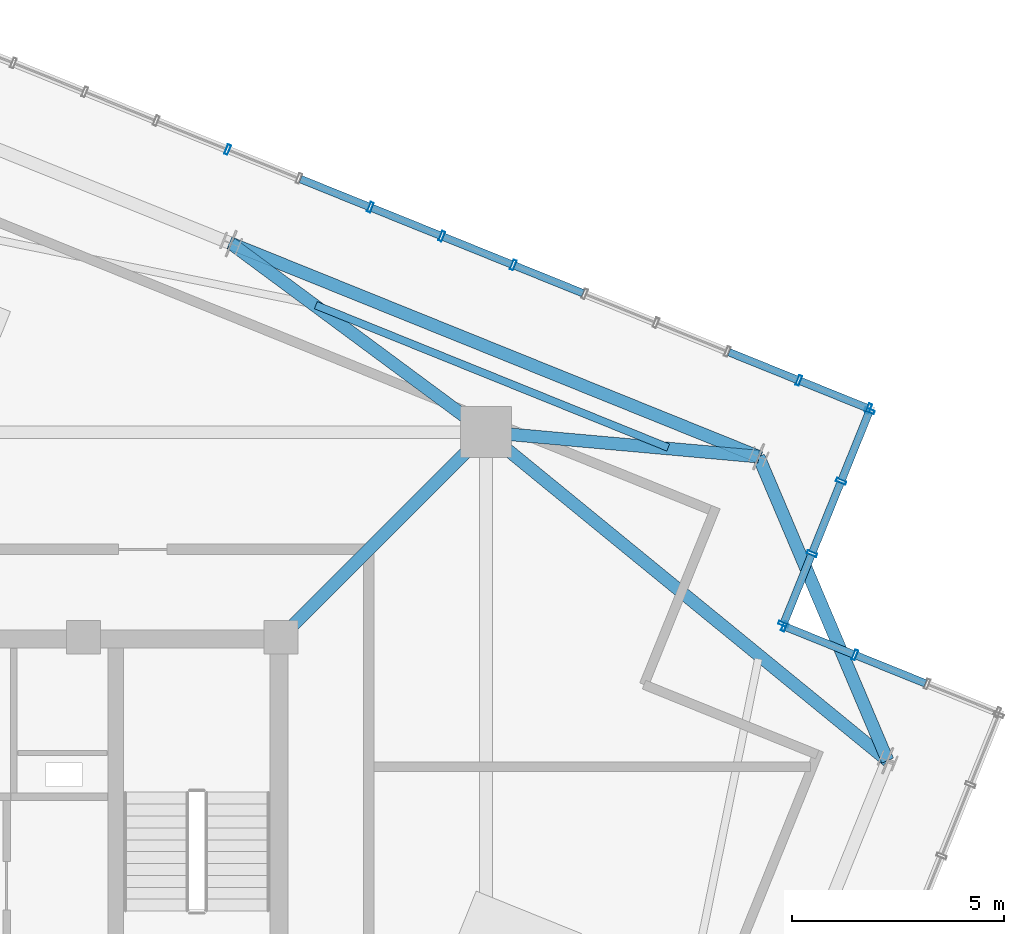
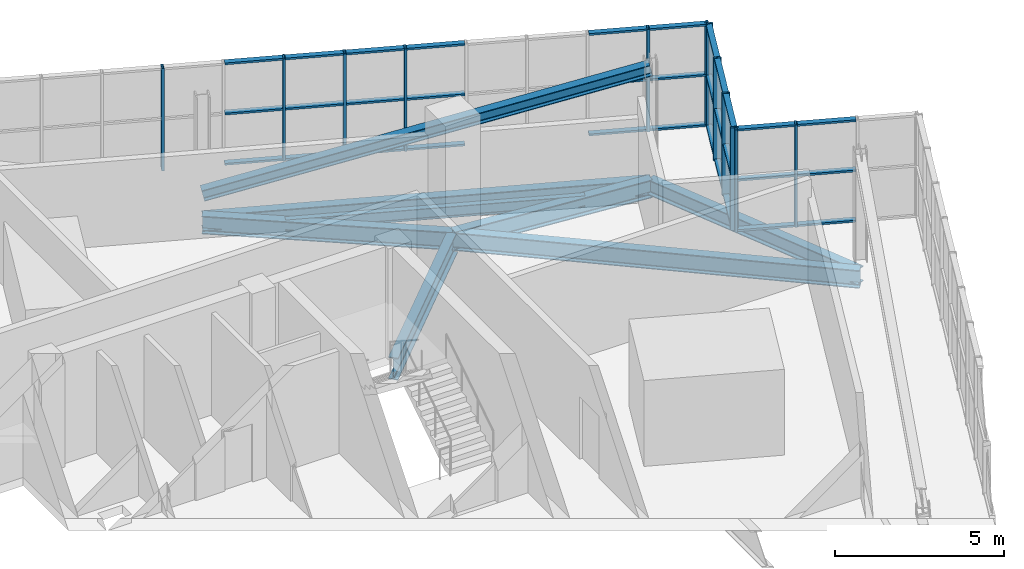
# One storey, part 16 of 26: 46 members, 7 beams, 3 elements without a shape of their own.
"""IFC4 building model written with IfcOpenShell, lengths in metres."""

from ifc_helpers import new_model, si_unit, direction, frame, origin, origin_2d, place, context, subcontext, project, spatial, hollow_rectangle, i_section, extrude, source, transform, mapped, material, layer, layer_set, material_profile, profile_set, type_object, element, aggregate, save


model = new_model("IFC4")

# Units and contexts
model_context = context("Model", 3, precision=1e-05, world=origin(), true_north=direction((0.0, 1.0)))
body_context = subcontext(model_context, "Body", "Model", "MODEL_VIEW")
ifc_project = project(units=[si_unit("LENGTHUNIT", "METRE"), si_unit("AREAUNIT", "SQUARE_METRE"), si_unit("VOLUMEUNIT", "CUBIC_METRE"), si_unit("PLANEANGLEUNIT", "RADIAN"), si_unit("MASSUNIT", "GRAM", prefix="KILO"), si_unit("THERMODYNAMICTEMPERATUREUNIT", "KELVIN")], contexts=[model_context])

# Site, building, storey
site_placement = place(None, origin())
site = spatial("IfcSite", under=ifc_project, at=site_placement, CompositionType="ELEMENT")
building_placement = place(site_placement, origin())
building = spatial("IfcBuilding", under=site, at=building_placement, Name="Kosmvard Interchange Tower", CompositionType="ELEMENT")
storey_placement = place(building_placement, frame((0.0, 0.0, 325.60009765625)))
storey = spatial("IfcBuildingStorey", under=building, at=storey_placement, Name="L80", CompositionType="ELEMENT", Elevation=325.60009765625)

# Beam
ifc_material_1 = material(Name="Steel S355", Category="steel")
ifc_material_profile_1 = material_profile(ifc_material_1, i_section(OverallWidth=0.300048828125, OverallDepth=0.800048828125, WebThickness=0.017578125, FlangeThickness=0.032958984375, FilletRadius=0.027099609375, at=origin_2d()), Name="HEB 800")
ifc_profile_set_1 = profile_set([ifc_material_profile_1], Name="Steel S355")
beam_type_1 = type_object("IfcBeamType", Name="Primary Mega-Frame Girder HEB 800 S355", PredefinedType="BEAM", material=ifc_profile_set_1)
shared_shape_1 = source(origin(), body_context, "Body", "SweptSolid", [
    extrude(i_section(OverallWidth=0.300048828125, OverallDepth=0.800048828125, WebThickness=0.017578125, FlangeThickness=0.032958984375, FilletRadius=0.027099609375, at=origin_2d()), origin(), (0.0, 0.0, 1.0), 6.83203125),
])
beam_1_placement = place(storey_placement, frame((8.25, 8.25, -0.7001953125), z_axis=(0.707106781187, 0.707106781187, 0.0), x_axis=(-0.707106781187, 0.707106781187, 0.0)))
element("IfcBeam", 1, at=beam_1_placement, inside=storey, type_object=beam_type_1, Name="L80 Radial Mega-Frame Girder 3", PredefinedType="BEAM", context=body_context, shape_type="MappedRepresentation", body=[
    mapped(shared_shape_1, transform((0.0, 0.0, 0.0), scale=1.0)),
])

# Member
ifc_material_profile_2 = material_profile(ifc_material_1, i_section(OverallWidth=0.300048828125, OverallDepth=0.39990234375, WebThickness=0.013427734375, FlangeThickness=0.02392578125, FilletRadius=0.027099609375, at=origin_2d()), Name="HEB 400")
ifc_profile_set_2 = profile_set([ifc_material_profile_2], Name="Steel S355")
member_type_1 = type_object("IfcMemberType", Name="Lantern Crown Diagrid Brace HEB 400 S355", PredefinedType="BRACE", material=ifc_profile_set_2)
shared_shape_2 = source(origin(), body_context, "Body", "SweptSolid", [
    extrude(i_section(OverallWidth=0.300048828125, OverallDepth=0.39990234375, WebThickness=0.013427734375, FlangeThickness=0.02392578125, FilletRadius=0.027099609375, at=origin_2d()), origin(), (0.0, 0.0, 1.0), 13.78369140625),
])
member_1_placement = place(storey_placement, frame((7.080078125, 17.523681640625, 0.419921875), z_axis=(0.901373372792, -0.364162635972, 0.234332279859), x_axis=(0.374592580972, 0.927189515839, 0.0)))
element("IfcMember", 2, at=member_1_placement, inside=storey, type_object=member_type_1, Name="L80 Crown Lantern Diagrid Brace E1", PredefinedType="BRACE", context=body_context, shape_type="MappedRepresentation", body=[
    mapped(shared_shape_2, transform((0.0, 0.0, 0.0), scale=1.0)),
])

# Beams
ifc_material_profile_3 = material_profile(ifc_material_1, i_section(OverallWidth=0.300048828125, OverallDepth=0.550048828125, WebThickness=0.014892578125, FlangeThickness=0.029052734375, FilletRadius=0.027099609375, at=origin_2d()), Name="HEB 550")
ifc_profile_set_3 = profile_set([ifc_material_profile_3], Name="Steel S355")
beam_type_2 = type_object("IfcBeamType", Name="Crown Ring Cap Girder HEB 550 S355", PredefinedType="BEAM", material=ifc_profile_set_3)
shared_shape_3 = source(origin(), body_context, "Body", "SweptSolid", [
    extrude(i_section(OverallWidth=0.300048828125, OverallDepth=0.550048828125, WebThickness=0.014892578125, FlangeThickness=0.029052734375, FilletRadius=0.027099609375, at=origin_2d()), origin(), (0.0, 0.0, 1.0), 13.39990234375),
])
beam_2_placement = place(storey_placement, frame((19.50439453125, 12.504150390625, -0.5751953125), z_axis=(-0.927189515839, 0.374592580972, 0.0), x_axis=(-0.374592580972, -0.927189515839, 0.0)))
element("IfcBeam", 3, at=beam_2_placement, inside=storey, type_object=beam_type_2, Name="BM-L80-PR04", PredefinedType="BEAM", context=body_context, shape_type="MappedRepresentation", body=[
    mapped(shared_shape_3, transform((0.0, 0.0, 0.0), scale=1.0)),
])
ifc_material_profile_4 = material_profile(ifc_material_1, i_section(OverallWidth=0.300048828125, OverallDepth=0.64990234375, WebThickness=0.01611328125, FlangeThickness=0.031005859375, FilletRadius=0.027099609375, at=origin_2d()), Name="HEB 650")
ifc_profile_set_4 = profile_set([ifc_material_profile_4], Name="Steel S355")
beam_type_3 = type_object("IfcBeamType", Name="Primary Floor Girder HEB 650 S355", PredefinedType="BEAM", material=ifc_profile_set_4)
shared_shape_4 = source(origin(), body_context, "Body", "SweptSolid", [
    extrude(i_section(OverallWidth=0.300048828125, OverallDepth=0.64990234375, WebThickness=0.01611328125, FlangeThickness=0.031005859375, FilletRadius=0.027099609375, at=origin_2d()), origin(), (0.0, 0.0, 1.0), 6.44921875),
])
beam_3_placement = place(storey_placement, frame((13.0810546875, 13.0810546875, -0.625), z_axis=(0.995990982197, -0.089453694068, 0.0), x_axis=(0.089453694068, 0.995990982197, 0.0)))
element("IfcBeam", 4, at=beam_3_placement, inside=storey, type_object=beam_type_3, Name="BM-L80-RD04", PredefinedType="BEAM", context=body_context, shape_type="MappedRepresentation", body=[
    mapped(shared_shape_4, transform((0.0, 0.0, 0.0), scale=1.0)),
])
shared_shape_5 = source(origin(), body_context, "Body", "SweptSolid", [
    extrude(i_section(OverallWidth=0.300048828125, OverallDepth=0.64990234375, WebThickness=0.01611328125, FlangeThickness=0.031005859375, FilletRadius=0.027099609375, at=origin_2d()), origin(), (0.0, 0.0, 1.0), 7.466552734375),
])
beam_4_placement = place(storey_placement, frame((13.0810546875, 13.0810546875, -0.625), z_axis=(-0.803719929879, 0.595007793491, 0.0), x_axis=(-0.595007793491, -0.803719929879, 0.0)))
element("IfcBeam", 5, at=beam_4_placement, inside=storey, type_object=beam_type_3, Name="BM-L80-RD05", PredefinedType="BEAM", context=body_context, shape_type="MappedRepresentation", body=[
    mapped(shared_shape_5, transform((0.0, 0.0, 0.0), scale=1.0)),
])
shared_shape_6 = source(origin(), body_context, "Body", "SweptSolid", [
    extrude(i_section(OverallWidth=0.300048828125, OverallDepth=0.550048828125, WebThickness=0.014892578125, FlangeThickness=0.029052734375, FilletRadius=0.027099609375, at=origin_2d()), origin(), (0.0, 0.0, 1.0), 7.778076171875),
])
beam_5_placement = place(storey_placement, frame((22.54345703125, 5.34423828125, -0.5751953125), z_axis=(-0.39071589075, 0.92051132134, 0.0), x_axis=(-0.92051132134, -0.39071589075, 0.0)))
element("IfcBeam", 6, at=beam_5_placement, inside=storey, type_object=beam_type_2, Name="BM-L80-PR03", PredefinedType="BEAM", context=body_context, shape_type="MappedRepresentation", body=[
    mapped(shared_shape_6, transform((0.0, 0.0, 0.0), scale=1.0)),
])
shared_shape_7 = source(origin(), body_context, "Body", "SweptSolid", [
    extrude(i_section(OverallWidth=0.300048828125, OverallDepth=0.64990234375, WebThickness=0.01611328125, FlangeThickness=0.031005859375, FilletRadius=0.027099609375, at=origin_2d()), origin(), (0.0, 0.0, 1.0), 12.22265625),
])
beam_6_placement = place(storey_placement, frame((13.0810546875, 13.0810546875, -0.625), z_axis=(0.774163725034, -0.632985408079, 0.0), x_axis=(0.632985408079, 0.774163725034, 0.0)))
element("IfcBeam", 7, at=beam_6_placement, inside=storey, type_object=beam_type_3, Name="BM-L80-RD03", PredefinedType="BEAM", context=body_context, shape_type="MappedRepresentation", body=[
    mapped(shared_shape_7, transform((0.0, 0.0, 0.0), scale=1.0)),
])
ifc_material_profile_5 = material_profile(ifc_material_1, i_section(OverallWidth=0.179931640625, OverallDepth=0.39990234375, WebThickness=0.008544921875, FlangeThickness=0.013427734375, FilletRadius=0.02099609375, at=origin_2d()), Name="IPE 400")
ifc_profile_set_5 = profile_set([ifc_material_profile_5], Name="Steel S355")
beam_type_4 = type_object("IfcBeamType", Name="Upper-Zone Floor Joist IPE 400 S355", PredefinedType="JOIST", material=ifc_profile_set_5)
shared_shape_8 = source(origin(), body_context, "Body", "SweptSolid", [
    extrude(i_section(OverallWidth=0.179931640625, OverallDepth=0.39990234375, WebThickness=0.008544921875, FlangeThickness=0.013427734375, FilletRadius=0.02099609375, at=origin_2d()), origin(), (0.0, 0.0, 1.0), 8.9521484375),
])
beam_7_placement = place(storey_placement, frame((17.374755859375, 12.71875, -0.5), z_axis=(-0.927194118723, 0.374581187736, 0.0), x_axis=(-0.374581187736, -0.927194118723, 0.0)))
element("IfcBeam", 8, at=beam_7_placement, inside=storey, type_object=beam_type_4, Name="BM-L80-FJ03", PredefinedType="JOIST", context=body_context, shape_type="MappedRepresentation", body=[
    mapped(shared_shape_8, transform((0.0, 0.0, 0.0), scale=1.0)),
])

# Curtain wall, members
ifc_material_2 = material(Name="Architectural anodised aluminium", Category="aluminium")
ifc_layer = layer(ifc_material_2, 0.25, Name="Architectural anodised aluminium")
ifc_layer_set = layer_set([ifc_layer], Name="Architectural anodised aluminium")
curtain_wall_type = type_object("IfcCurtainWallType", Name="CW-6 Illuminated Crown Lantern Curtain Wall", PredefinedType="NOTDEFINED", material=ifc_layer_set)
curtain_wall_1_placement = place(storey_placement, origin())
curtain_wall_1 = element("IfcCurtainWall", 9, at=curtain_wall_1_placement, inside=storey, type_object=curtain_wall_type, Name="L80 Crown Lantern Glazing Face 02", PredefinedType="NOTDEFINED")
ifc_material_profile_6 = material_profile(ifc_material_2, hollow_rectangle(XDim=0.239990234375, YDim=0.080078125, WallThickness=0.006103515625, at=origin_2d()), Name="CWM 240x80x6")
ifc_profile_set_6 = profile_set([ifc_material_profile_6], Name="Architectural anodised aluminium")
member_type_2 = type_object("IfcMemberType", Name="Lantern & Observation CW Mullion 240x80 Aluminium", PredefinedType="MULLION", material=ifc_profile_set_6)
shared_shape_9 = source(origin(), body_context, "Body", "SweptSolid", [
    extrude(hollow_rectangle(XDim=0.239990234375, YDim=0.080078125, WallThickness=0.006103515625, at=origin_2d()), origin(), (0.0, 0.0, 1.0), 3.699951171875),
])
member_2_placement = place(storey_placement, frame((21.7734375, 7.833984375, 0.0), z_axis=(0.0, 0.0, 1.0), x_axis=(-0.374606564822, -0.92718386612, 0.0)))
member_2 = element("IfcMember", 10, at=member_2_placement, type_object=member_type_2, Name="CW-6 mullion 3", PredefinedType="MULLION", context=body_context, shape_type="MappedRepresentation", body=[
    mapped(shared_shape_9, transform((0.0, 0.0, 0.0), scale=1.0)),
])
member_3_placement = place(storey_placement, frame((20.110595703125, 8.505859375, 0.0), z_axis=(0.0, 0.0, 1.0), x_axis=(-0.374606564822, -0.92718386612, 0.0)))
member_3 = element("IfcMember", 11, at=member_3_placement, type_object=member_type_2, Name="CW-6 mullion 4", PredefinedType="MULLION", context=body_context, shape_type="MappedRepresentation", body=[
    mapped(shared_shape_9, transform((0.0, 0.0, 0.0), scale=1.0)),
])

curtain_wall_2_placement = place(storey_placement, origin())
curtain_wall_2 = element("IfcCurtainWall", 12, at=curtain_wall_2_placement, inside=storey, type_object=curtain_wall_type, Name="L80 Crown Lantern Glazing Face 03", PredefinedType="NOTDEFINED")
member_4_placement = place(storey_placement, frame((20.088623046875, 8.557861328125, 0.0), z_axis=(0.0, 0.0, 1.0), x_axis=(-0.927183891631, 0.374606501678, 0.0)))
member_4 = element("IfcMember", 13, at=member_4_placement, type_object=member_type_2, Name="CW-6 mullion 1", PredefinedType="MULLION", context=body_context, shape_type="MappedRepresentation", body=[
    mapped(shared_shape_9, transform((0.0, 0.0, 0.0), scale=1.0)),
])
member_5_placement = place(storey_placement, frame((20.760498046875, 10.220458984375, 0.0), z_axis=(0.0, 0.0, 1.0), x_axis=(-0.927183891631, 0.374606501678, 0.0)))
member_5 = element("IfcMember", 14, at=member_5_placement, type_object=member_type_2, Name="CW-6 mullion 2", PredefinedType="MULLION", context=body_context, shape_type="MappedRepresentation", body=[
    mapped(shared_shape_9, transform((0.0, 0.0, 0.0), scale=1.0)),
])
member_6_placement = place(storey_placement, frame((21.447265625, 11.92041015625, 0.0), z_axis=(0.0, 0.0, 1.0), x_axis=(-0.927183891631, 0.374606501678, 0.0)))
member_6 = element("IfcMember", 15, at=member_6_placement, type_object=member_type_2, Name="CW-6 mullion 3", PredefinedType="MULLION", context=body_context, shape_type="MappedRepresentation", body=[
    mapped(shared_shape_9, transform((0.0, 0.0, 0.0), scale=1.0)),
])
member_7_placement = place(storey_placement, frame((22.118896484375, 13.583251953125, 0.0), z_axis=(0.0, 0.0, 1.0), x_axis=(-0.927183891631, 0.374606501678, 0.0)))
member_7 = element("IfcMember", 16, at=member_7_placement, type_object=member_type_2, Name="CW-6 mullion 4", PredefinedType="MULLION", context=body_context, shape_type="MappedRepresentation", body=[
    mapped(shared_shape_9, transform((0.0, 0.0, 0.0), scale=1.0)),
])

curtain_wall_3_placement = place(storey_placement, origin())
curtain_wall_3 = element("IfcCurtainWall", 17, at=curtain_wall_3_placement, inside=storey, type_object=curtain_wall_type, Name="L80 Crown Lantern Glazing Face 04", PredefinedType="NOTDEFINED")
member_8_placement = place(storey_placement, frame((22.096923828125, 13.63525390625, 0.0), z_axis=(0.0, 0.0, 1.0), x_axis=(-0.374606584758, -0.927183858065, 0.0)))
member_8 = element("IfcMember", 18, at=member_8_placement, type_object=member_type_2, Name="CW-6 mullion 1", PredefinedType="MULLION", context=body_context, shape_type="MappedRepresentation", body=[
    mapped(shared_shape_9, transform((0.0, 0.0, 0.0), scale=1.0)),
])
member_9_placement = place(storey_placement, frame((20.451904296875, 14.2998046875, 0.0), z_axis=(0.0, 0.0, 1.0), x_axis=(-0.374606584758, -0.927183858065, 0.0)))
member_9 = element("IfcMember", 19, at=member_9_placement, type_object=member_type_2, Name="CW-6 mullion 2", PredefinedType="MULLION", context=body_context, shape_type="MappedRepresentation", body=[
    mapped(shared_shape_9, transform((0.0, 0.0, 0.0), scale=1.0)),
])
member_10_placement = place(storey_placement, frame((13.723876953125, 17.01806640625, 0.0), z_axis=(0.0, 0.0, 1.0), x_axis=(-0.374606584758, -0.927183858065, 0.0)))
member_10 = element("IfcMember", 20, at=member_10_placement, type_object=member_type_2, Name="CW-6 mullion 6", PredefinedType="MULLION", context=body_context, shape_type="MappedRepresentation", body=[
    mapped(shared_shape_9, transform((0.0, 0.0, 0.0), scale=1.0)),
])
member_11_placement = place(storey_placement, frame((12.041748046875, 17.69775390625, 0.0), z_axis=(0.0, 0.0, 1.0), x_axis=(-0.374606584758, -0.927183858065, 0.0)))
member_11 = element("IfcMember", 21, at=member_11_placement, type_object=member_type_2, Name="CW-6 mullion 7", PredefinedType="MULLION", context=body_context, shape_type="MappedRepresentation", body=[
    mapped(shared_shape_9, transform((0.0, 0.0, 0.0), scale=1.0)),
])
member_12_placement = place(storey_placement, frame((10.35986328125, 18.377197265625, 0.0), z_axis=(0.0, 0.0, 1.0), x_axis=(-0.374606584758, -0.927183858065, 0.0)))
member_12 = element("IfcMember", 22, at=member_12_placement, type_object=member_type_2, Name="CW-6 mullion 8", PredefinedType="MULLION", context=body_context, shape_type="MappedRepresentation", body=[
    mapped(shared_shape_9, transform((0.0, 0.0, 0.0), scale=1.0)),
])
member_13_placement = place(storey_placement, frame((6.995849609375, 19.736572265625, 0.0), z_axis=(0.0, 0.0, 1.0), x_axis=(-0.374606584758, -0.927183858065, 0.0)))
member_13 = element("IfcMember", 23, at=member_13_placement, type_object=member_type_2, Name="CW-6 mullion 10", PredefinedType="MULLION", context=body_context, shape_type="MappedRepresentation", body=[
    mapped(shared_shape_9, transform((0.0, 0.0, 0.0), scale=1.0)),
])
ifc_material_profile_7 = material_profile(ifc_material_2, hollow_rectangle(XDim=0.179931640625, YDim=0.070068359375, WallThickness=0.0048828125, at=origin_2d()), Name="CWT 180x70x5")
ifc_profile_set_7 = profile_set([ifc_material_profile_7], Name="Architectural anodised aluminium")
member_type_3 = type_object("IfcMemberType", Name="Heavy Lantern CW Transom 180x70 Aluminium", PredefinedType="USERDEFINED", material=ifc_profile_set_7)
shared_shape_10 = source(origin(), body_context, "Body", "SweptSolid", [
    extrude(hollow_rectangle(XDim=0.179931640625, YDim=0.070068359375, WallThickness=0.0048828125, at=origin_2d()), origin(), (0.0, 0.0, 1.0), 1.694091796875),
])
member_14_placement = place(storey_placement, frame((22.059814453125, 13.650146484375, 0.034912109375), z_axis=(-0.927159064032, 0.374667946298, 0.0), x_axis=(-0.374667946298, -0.927159064032, 0.0)))
member_14 = element("IfcMember", 24, at=member_14_placement, type_object=member_type_3, Name="CW-6 transom 1.1", ObjectType="TRANSOM", PredefinedType="USERDEFINED", context=body_context, shape_type="MappedRepresentation", body=[
    mapped(shared_shape_10, transform((0.0, 0.0, 0.0), scale=1.0)),
])
member_15_placement = place(storey_placement, frame((22.059814453125, 13.650146484375, 1.849853515625), z_axis=(-0.927159064032, 0.374667946298, 0.0), x_axis=(-0.374667946298, -0.927159064032, 0.0)))
member_15 = element("IfcMember", 25, at=member_15_placement, type_object=member_type_3, Name="CW-6 transom 1.2", ObjectType="TRANSOM", PredefinedType="USERDEFINED", context=body_context, shape_type="MappedRepresentation", body=[
    mapped(shared_shape_10, transform((0.0, 0.0, 0.0), scale=1.0)),
])
member_16_placement = place(storey_placement, frame((22.059814453125, 13.650146484375, 3.664794921875), z_axis=(-0.927159064032, 0.374667946298, 0.0), x_axis=(-0.374667946298, -0.927159064032, 0.0)))
member_16 = element("IfcMember", 26, at=member_16_placement, type_object=member_type_3, Name="CW-6 transom 1.3", ObjectType="TRANSOM", PredefinedType="USERDEFINED", context=body_context, shape_type="MappedRepresentation", body=[
    mapped(shared_shape_10, transform((0.0, 0.0, 0.0), scale=1.0)),
])
shared_shape_11 = source(origin(), body_context, "Body", "SweptSolid", [
    extrude(hollow_rectangle(XDim=0.179931640625, YDim=0.070068359375, WallThickness=0.0048828125, at=origin_2d()), origin(), (0.0, 0.0, 1.0), 1.734130859375),
])
member_17_placement = place(storey_placement, frame((20.414794921875, 14.314697265625, 0.034912109375), z_axis=(-0.927179782522, 0.374616671924, 0.0), x_axis=(-0.374616671924, -0.927179782522, 0.0)))
member_17 = element("IfcMember", 27, at=member_17_placement, type_object=member_type_3, Name="CW-6 transom 2.1", ObjectType="TRANSOM", PredefinedType="USERDEFINED", context=body_context, shape_type="MappedRepresentation", body=[
    mapped(shared_shape_11, transform((0.0, 0.0, 0.0), scale=1.0)),
])
member_18_placement = place(storey_placement, frame((20.414794921875, 14.314697265625, 1.849853515625), z_axis=(-0.927179782522, 0.374616671924, 0.0), x_axis=(-0.374616671924, -0.927179782522, 0.0)))
member_18 = element("IfcMember", 28, at=member_18_placement, type_object=member_type_3, Name="CW-6 transom 2.2", ObjectType="TRANSOM", PredefinedType="USERDEFINED", context=body_context, shape_type="MappedRepresentation", body=[
    mapped(shared_shape_11, transform((0.0, 0.0, 0.0), scale=1.0)),
])
member_19_placement = place(storey_placement, frame((20.414794921875, 14.314697265625, 3.664794921875), z_axis=(-0.927179782522, 0.374616671924, 0.0), x_axis=(-0.374616671924, -0.927179782522, 0.0)))
member_19 = element("IfcMember", 29, at=member_19_placement, type_object=member_type_3, Name="CW-6 transom 2.3", ObjectType="TRANSOM", PredefinedType="USERDEFINED", context=body_context, shape_type="MappedRepresentation", body=[
    mapped(shared_shape_11, transform((0.0, 0.0, 0.0), scale=1.0)),
])
member_20_placement = place(storey_placement, frame((15.368896484375, 16.353515625, 0.034912109375), z_axis=(-0.927179782522, 0.374616671924, 0.0), x_axis=(-0.374616671924, -0.927179782522, 0.0)))
member_20 = element("IfcMember", 30, at=member_20_placement, type_object=member_type_3, Name="CW-6 transom 5.1", ObjectType="TRANSOM", PredefinedType="USERDEFINED", context=body_context, shape_type="MappedRepresentation", body=[
    mapped(shared_shape_11, transform((0.0, 0.0, 0.0), scale=1.0)),
])
member_21_placement = place(storey_placement, frame((15.368896484375, 16.353515625, 1.849853515625), z_axis=(-0.927179782522, 0.374616671924, 0.0), x_axis=(-0.374616671924, -0.927179782522, 0.0)))
member_21 = element("IfcMember", 31, at=member_21_placement, type_object=member_type_3, Name="CW-6 transom 5.2", ObjectType="TRANSOM", PredefinedType="USERDEFINED", context=body_context, shape_type="MappedRepresentation", body=[
    mapped(shared_shape_11, transform((0.0, 0.0, 0.0), scale=1.0)),
])
member_22_placement = place(storey_placement, frame((15.368896484375, 16.353515625, 3.664794921875), z_axis=(-0.927179782522, 0.374616671924, 0.0), x_axis=(-0.374616671924, -0.927179782522, 0.0)))
member_22 = element("IfcMember", 32, at=member_22_placement, type_object=member_type_3, Name="CW-6 transom 5.3", ObjectType="TRANSOM", PredefinedType="USERDEFINED", context=body_context, shape_type="MappedRepresentation", body=[
    mapped(shared_shape_11, transform((0.0, 0.0, 0.0), scale=1.0)),
])
member_23_placement = place(storey_placement, frame((13.686767578125, 17.033203125, 0.034912109375), z_axis=(-0.927179782522, 0.374616671924, 0.0), x_axis=(-0.374616671924, -0.927179782522, 0.0)))
member_23 = element("IfcMember", 33, at=member_23_placement, type_object=member_type_3, Name="CW-6 transom 6.1", ObjectType="TRANSOM", PredefinedType="USERDEFINED", context=body_context, shape_type="MappedRepresentation", body=[
    mapped(shared_shape_11, transform((0.0, 0.0, 0.0), scale=1.0)),
])
member_24_placement = place(storey_placement, frame((13.686767578125, 17.033203125, 1.849853515625), z_axis=(-0.927179782522, 0.374616671924, 0.0), x_axis=(-0.374616671924, -0.927179782522, 0.0)))
member_24 = element("IfcMember", 34, at=member_24_placement, type_object=member_type_3, Name="CW-6 transom 6.2", ObjectType="TRANSOM", PredefinedType="USERDEFINED", context=body_context, shape_type="MappedRepresentation", body=[
    mapped(shared_shape_11, transform((0.0, 0.0, 0.0), scale=1.0)),
])
member_25_placement = place(storey_placement, frame((13.686767578125, 17.033203125, 3.664794921875), z_axis=(-0.927179782522, 0.374616671924, 0.0), x_axis=(-0.374616671924, -0.927179782522, 0.0)))
member_25 = element("IfcMember", 35, at=member_25_placement, type_object=member_type_3, Name="CW-6 transom 6.3", ObjectType="TRANSOM", PredefinedType="USERDEFINED", context=body_context, shape_type="MappedRepresentation", body=[
    mapped(shared_shape_11, transform((0.0, 0.0, 0.0), scale=1.0)),
])
member_26_placement = place(storey_placement, frame((10.32275390625, 18.392333984375, 0.034912109375), z_axis=(-0.927179782522, 0.374616671924, 0.0), x_axis=(-0.374616671924, -0.927179782522, 0.0)))
member_26 = element("IfcMember", 36, at=member_26_placement, type_object=member_type_3, Name="CW-6 transom 8.1", ObjectType="TRANSOM", PredefinedType="USERDEFINED", context=body_context, shape_type="MappedRepresentation", body=[
    mapped(shared_shape_11, transform((0.0, 0.0, 0.0), scale=1.0)),
])
member_27_placement = place(storey_placement, frame((10.32275390625, 18.392333984375, 1.849853515625), z_axis=(-0.927179782522, 0.374616671924, 0.0), x_axis=(-0.374616671924, -0.927179782522, 0.0)))
member_27 = element("IfcMember", 37, at=member_27_placement, type_object=member_type_3, Name="CW-6 transom 8.2", ObjectType="TRANSOM", PredefinedType="USERDEFINED", context=body_context, shape_type="MappedRepresentation", body=[
    mapped(shared_shape_11, transform((0.0, 0.0, 0.0), scale=1.0)),
])
member_28_placement = place(storey_placement, frame((10.32275390625, 18.392333984375, 3.664794921875), z_axis=(-0.927179782522, 0.374616671924, 0.0), x_axis=(-0.374616671924, -0.927179782522, 0.0)))
member_28 = element("IfcMember", 38, at=member_28_placement, type_object=member_type_3, Name="CW-6 transom 8.3", ObjectType="TRANSOM", PredefinedType="USERDEFINED", context=body_context, shape_type="MappedRepresentation", body=[
    mapped(shared_shape_11, transform((0.0, 0.0, 0.0), scale=1.0)),
])
shared_shape_12 = source(origin(), body_context, "Body", "SweptSolid", [
    extrude(hollow_rectangle(XDim=0.179931640625, YDim=0.070068359375, WallThickness=0.0048828125, at=origin_2d()), origin(), (0.0, 0.0, 1.0), 1.73388671875),
])
member_29_placement = place(storey_placement, frame((12.004638671875, 17.712646484375, 0.034912109375), z_axis=(-0.927160021861, 0.374665576032, 0.0), x_axis=(-0.374665576032, -0.927160021861, 0.0)))
member_29 = element("IfcMember", 39, at=member_29_placement, type_object=member_type_3, Name="CW-6 transom 7.1", ObjectType="TRANSOM", PredefinedType="USERDEFINED", context=body_context, shape_type="MappedRepresentation", body=[
    mapped(shared_shape_12, transform((0.0, 0.0, 0.0), scale=1.0)),
])
member_30_placement = place(storey_placement, frame((12.004638671875, 17.712646484375, 1.849853515625), z_axis=(-0.927160021861, 0.374665576032, 0.0), x_axis=(-0.374665576032, -0.927160021861, 0.0)))
member_30 = element("IfcMember", 40, at=member_30_placement, type_object=member_type_3, Name="CW-6 transom 7.2", ObjectType="TRANSOM", PredefinedType="USERDEFINED", context=body_context, shape_type="MappedRepresentation", body=[
    mapped(shared_shape_12, transform((0.0, 0.0, 0.0), scale=1.0)),
])
member_31_placement = place(storey_placement, frame((12.004638671875, 17.712646484375, 3.664794921875), z_axis=(-0.927160021861, 0.374665576032, 0.0), x_axis=(-0.374665576032, -0.927160021861, 0.0)))
member_31 = element("IfcMember", 41, at=member_31_placement, type_object=member_type_3, Name="CW-6 transom 7.3", ObjectType="TRANSOM", PredefinedType="USERDEFINED", context=body_context, shape_type="MappedRepresentation", body=[
    mapped(shared_shape_12, transform((0.0, 0.0, 0.0), scale=1.0)),
])
aggregate(curtain_wall_3, [member_8, member_9, member_10, member_11, member_12, member_13, member_14, member_15, member_16, member_17, member_18, member_19, member_20, member_21, member_22, member_23, member_24, member_25, member_29, member_30, member_31, member_26, member_27, member_28])

# Member
shared_shape_13 = source(origin(), body_context, "Body", "SweptSolid", [
    extrude(hollow_rectangle(XDim=0.179931640625, YDim=0.070068359375, WallThickness=0.0048828125, at=origin_2d()), origin(), (0.0, 0.0, 1.0), 1.71337890625),
])
member_32_placement = place(storey_placement, frame((21.736328125, 7.848876953125, 0.034912109375), z_axis=(-0.927183787829, 0.374606758599, 0.0), x_axis=(-0.374606758599, -0.927183787829, 0.0)))
member_32 = element("IfcMember", 42, at=member_32_placement, type_object=member_type_3, Name="CW-6 transom 3.1", ObjectType="TRANSOM", PredefinedType="USERDEFINED", context=body_context, shape_type="MappedRepresentation", body=[
    mapped(shared_shape_13, transform((0.0, 0.0, 0.0), scale=1.0)),
])

member_33_placement = place(storey_placement, frame((21.736328125, 7.848876953125, 1.849853515625), z_axis=(-0.927183787829, 0.374606758599, 0.0), x_axis=(-0.374606758599, -0.927183787829, 0.0)))
member_33 = element("IfcMember", 43, at=member_33_placement, type_object=member_type_3, Name="CW-6 transom 3.2", ObjectType="TRANSOM", PredefinedType="USERDEFINED", context=body_context, shape_type="MappedRepresentation", body=[
    mapped(shared_shape_13, transform((0.0, 0.0, 0.0), scale=1.0)),
])

member_34_placement = place(storey_placement, frame((21.736328125, 7.848876953125, 3.664794921875), z_axis=(-0.927183787829, 0.374606758599, 0.0), x_axis=(-0.374606758599, -0.927183787829, 0.0)))
member_34 = element("IfcMember", 44, at=member_34_placement, type_object=member_type_3, Name="CW-6 transom 3.3", ObjectType="TRANSOM", PredefinedType="USERDEFINED", context=body_context, shape_type="MappedRepresentation", body=[
    mapped(shared_shape_13, transform((0.0, 0.0, 0.0), scale=1.0)),
])

member_35_placement = place(storey_placement, frame((20.103515625, 8.594970703125, 0.034912109375), z_axis=(0.374606758599, 0.927183787829, 0.0), x_axis=(-0.927183787829, 0.374606758599, 0.0)))
member_35 = element("IfcMember", 45, at=member_35_placement, type_object=member_type_3, Name="CW-6 transom 1.1", ObjectType="TRANSOM", PredefinedType="USERDEFINED", context=body_context, shape_type="MappedRepresentation", body=[
    mapped(shared_shape_13, transform((0.0, 0.0, 0.0), scale=1.0)),
])

member_36_placement = place(storey_placement, frame((20.103515625, 8.594970703125, 1.849853515625), z_axis=(0.374606758599, 0.927183787829, 0.0), x_axis=(-0.927183787829, 0.374606758599, 0.0)))
member_36 = element("IfcMember", 46, at=member_36_placement, type_object=member_type_3, Name="CW-6 transom 1.2", ObjectType="TRANSOM", PredefinedType="USERDEFINED", context=body_context, shape_type="MappedRepresentation", body=[
    mapped(shared_shape_13, transform((0.0, 0.0, 0.0), scale=1.0)),
])

member_37_placement = place(storey_placement, frame((20.103515625, 8.594970703125, 3.664794921875), z_axis=(0.374606758599, 0.927183787829, 0.0), x_axis=(-0.927183787829, 0.374606758599, 0.0)))
member_37 = element("IfcMember", 47, at=member_37_placement, type_object=member_type_3, Name="CW-6 transom 1.3", ObjectType="TRANSOM", PredefinedType="USERDEFINED", context=body_context, shape_type="MappedRepresentation", body=[
    mapped(shared_shape_13, transform((0.0, 0.0, 0.0), scale=1.0)),
])

member_38_placement = place(storey_placement, frame((21.462158203125, 11.95751953125, 0.034912109375), z_axis=(0.374606758599, 0.927183787829, 0.0), x_axis=(-0.927183787829, 0.374606758599, 0.0)))
member_38 = element("IfcMember", 48, at=member_38_placement, type_object=member_type_3, Name="CW-6 transom 3.1", ObjectType="TRANSOM", PredefinedType="USERDEFINED", context=body_context, shape_type="MappedRepresentation", body=[
    mapped(shared_shape_13, transform((0.0, 0.0, 0.0), scale=1.0)),
])

member_39_placement = place(storey_placement, frame((21.462158203125, 11.95751953125, 1.849853515625), z_axis=(0.374606758599, 0.927183787829, 0.0), x_axis=(-0.927183787829, 0.374606758599, 0.0)))
member_39 = element("IfcMember", 49, at=member_39_placement, type_object=member_type_3, Name="CW-6 transom 3.2", ObjectType="TRANSOM", PredefinedType="USERDEFINED", context=body_context, shape_type="MappedRepresentation", body=[
    mapped(shared_shape_13, transform((0.0, 0.0, 0.0), scale=1.0)),
])

member_40_placement = place(storey_placement, frame((21.462158203125, 11.95751953125, 3.664794921875), z_axis=(0.374606758599, 0.927183787829, 0.0), x_axis=(-0.927183787829, 0.374606758599, 0.0)))
member_40 = element("IfcMember", 50, at=member_40_placement, type_object=member_type_3, Name="CW-6 transom 3.3", ObjectType="TRANSOM", PredefinedType="USERDEFINED", context=body_context, shape_type="MappedRepresentation", body=[
    mapped(shared_shape_13, transform((0.0, 0.0, 0.0), scale=1.0)),
])

shared_shape_14 = source(origin(), body_context, "Body", "SweptSolid", [
    extrude(hollow_rectangle(XDim=0.179931640625, YDim=0.070068359375, WallThickness=0.0048828125, at=origin_2d()), origin(), (0.0, 0.0, 1.0), 1.75341796875),
])
member_41_placement = place(storey_placement, frame((23.436279296875, 7.162109375, 0.034912109375), z_axis=(-0.927155350429, 0.374677135907, 0.0), x_axis=(-0.374677135907, -0.927155350429, 0.0)))
member_41 = element("IfcMember", 51, at=member_41_placement, type_object=member_type_3, Name="CW-6 transom 2.1", ObjectType="TRANSOM", PredefinedType="USERDEFINED", context=body_context, shape_type="MappedRepresentation", body=[
    mapped(shared_shape_14, transform((0.0, 0.0, 0.0), scale=1.0)),
])

member_42_placement = place(storey_placement, frame((23.436279296875, 7.162109375, 1.849853515625), z_axis=(-0.927155350429, 0.374677135907, 0.0), x_axis=(-0.374677135907, -0.927155350429, 0.0)))
member_42 = element("IfcMember", 52, at=member_42_placement, type_object=member_type_3, Name="CW-6 transom 2.2", ObjectType="TRANSOM", PredefinedType="USERDEFINED", context=body_context, shape_type="MappedRepresentation", body=[
    mapped(shared_shape_14, transform((0.0, 0.0, 0.0), scale=1.0)),
])

member_43_placement = place(storey_placement, frame((23.436279296875, 7.162109375, 3.664794921875), z_axis=(-0.927155350429, 0.374677135907, 0.0), x_axis=(-0.374677135907, -0.927155350429, 0.0)))
member_43 = element("IfcMember", 53, at=member_43_placement, type_object=member_type_3, Name="CW-6 transom 2.3", ObjectType="TRANSOM", PredefinedType="USERDEFINED", context=body_context, shape_type="MappedRepresentation", body=[
    mapped(shared_shape_14, transform((0.0, 0.0, 0.0), scale=1.0)),
])

aggregate(curtain_wall_1, [member_2, member_3, member_41, member_42, member_43, member_32, member_33, member_34])

member_44_placement = place(storey_placement, frame((20.775390625, 10.257568359375, 0.034912109375), z_axis=(0.37455743912, 0.927203712676, 0.0), x_axis=(-0.927203712676, 0.37455743912, 0.0)))
member_44 = element("IfcMember", 54, at=member_44_placement, type_object=member_type_3, Name="CW-6 transom 2.1", ObjectType="TRANSOM", PredefinedType="USERDEFINED", context=body_context, shape_type="MappedRepresentation", body=[
    mapped(shared_shape_14, transform((0.0, 0.0, 0.0), scale=1.0)),
])

member_45_placement = place(storey_placement, frame((20.775390625, 10.257568359375, 1.849853515625), z_axis=(0.37455743912, 0.927203712676, 0.0), x_axis=(-0.927203712676, 0.37455743912, 0.0)))
member_45 = element("IfcMember", 55, at=member_45_placement, type_object=member_type_3, Name="CW-6 transom 2.2", ObjectType="TRANSOM", PredefinedType="USERDEFINED", context=body_context, shape_type="MappedRepresentation", body=[
    mapped(shared_shape_14, transform((0.0, 0.0, 0.0), scale=1.0)),
])

member_46_placement = place(storey_placement, frame((20.775390625, 10.257568359375, 3.664794921875), z_axis=(0.37455743912, 0.927203712676, 0.0), x_axis=(-0.927203712676, 0.37455743912, 0.0)))
member_46 = element("IfcMember", 56, at=member_46_placement, type_object=member_type_3, Name="CW-6 transom 2.3", ObjectType="TRANSOM", PredefinedType="USERDEFINED", context=body_context, shape_type="MappedRepresentation", body=[
    mapped(shared_shape_14, transform((0.0, 0.0, 0.0), scale=1.0)),
])

aggregate(curtain_wall_2, [member_4, member_5, member_6, member_7, member_35, member_36, member_37, member_44, member_45, member_46, member_38, member_39, member_40])

save(model, "model.ifc")
